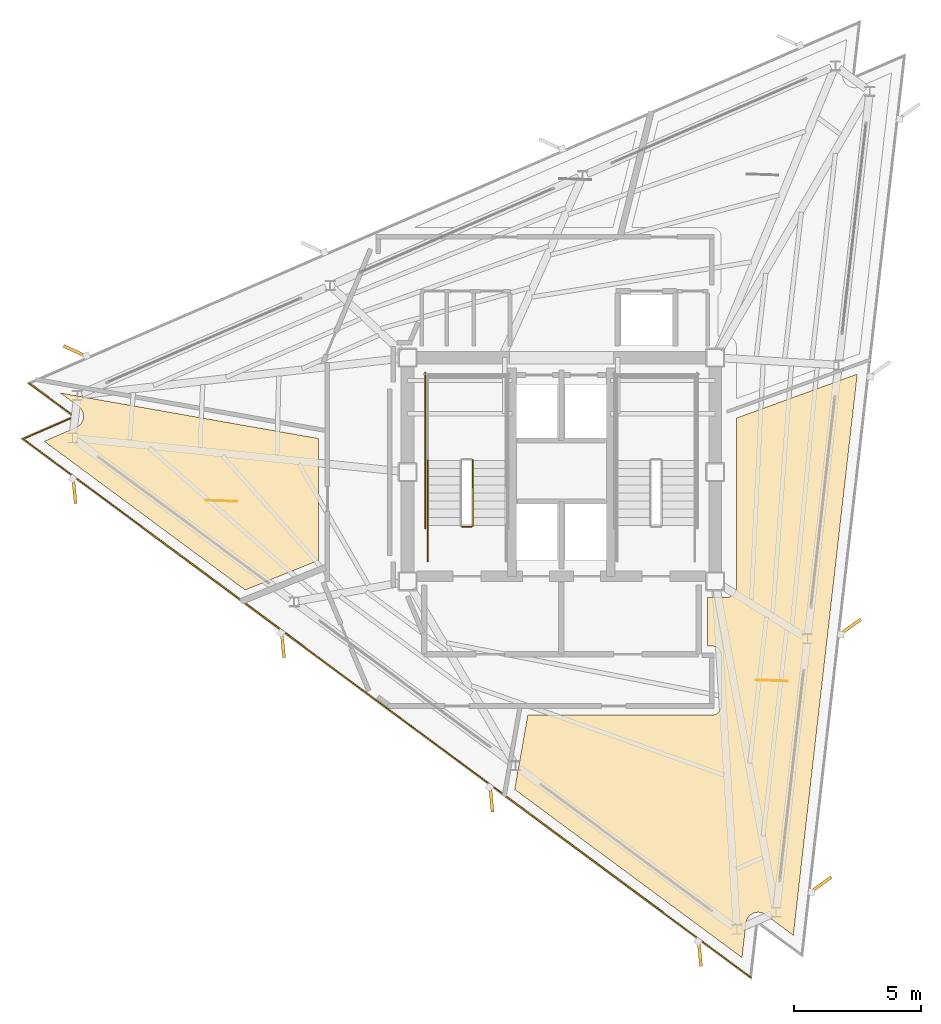
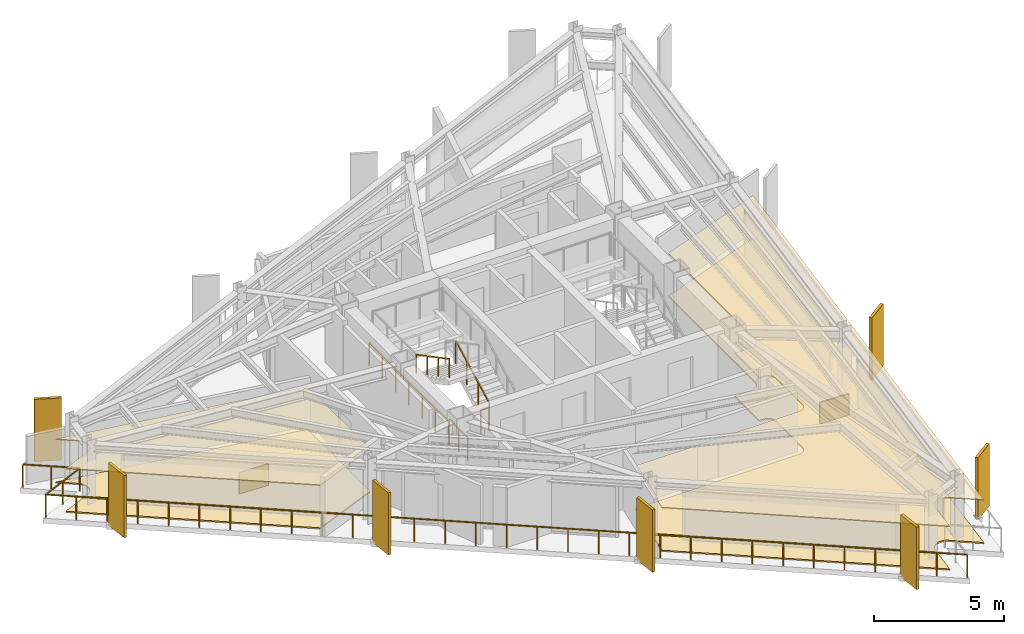
# One storey, part 8 of 10: 7 shading devices, 6 coverings, 6 railings.
"""IFC4 building model written with IfcOpenShell, lengths in metres."""

from ifc_helpers import new_model, si_unit, direction, frame, origin, origin_2d, place, context, subcontext, project, spatial, polyline, rectangle, outline, extrude, material, layer, layer_set, type_object, element, save


model = new_model("IFC4")

# Units and contexts
model_context = context("Model", 3, precision=1e-05, world=origin(), true_north=direction((0.0, 1.0)))
body_context = subcontext(model_context, "Body", "Model", "MODEL_VIEW")
ifc_project = project(units=[si_unit("LENGTHUNIT", "METRE"), si_unit("AREAUNIT", "SQUARE_METRE"), si_unit("VOLUMEUNIT", "CUBIC_METRE"), si_unit("PLANEANGLEUNIT", "RADIAN"), si_unit("MASSUNIT", "GRAM", prefix="KILO")], contexts=[model_context])

# Site, building, storey
site_placement = place(None, origin())
site = spatial("IfcSite", under=ifc_project, at=site_placement, CompositionType="ELEMENT")
building_placement = place(site_placement, origin())
building = spatial("IfcBuilding", under=site, at=building_placement, Name="Rocaltana Carrier Exchange", CompositionType="ELEMENT")
storey_placement = place(building_placement, frame((0.0, 0.0, 217.919921875)))
storey = spatial("IfcBuildingStorey", under=building, at=storey_placement, Name="L69", CompositionType="ELEMENT", Elevation=217.919921875)

# Coverings
ifc_material_1 = material(Name="Calcium Sulphate & Aluminium Pedestal", Category="aluminium")
ifc_layer_1 = layer(ifc_material_1, 0.06005859375)
ifc_layer_set_1 = layer_set([ifc_layer_1], Name="Calcium Sulphate & Aluminium Pedestal")
covering_type_1 = type_object("IfcCoveringType", Name="Anti-Static Raised Exchange Access Floor 60", PredefinedType="FLOORING", material=ifc_layer_set_1)
covering_1_placement = place(storey_placement, origin())
element("IfcCovering", 1, at=covering_1_placement, inside=storey, type_object=covering_type_1, Name="L69 Network Engineering Studio Finish Floor", PredefinedType="FLOORING", context=body_context, shape_type="SweptSolid", body=[
    extrude(outline(polyline([(-19.699951171875, 3.108154296875), (-9.56005859375, 1.320068359375), (-9.56005859375, -3.47412109375), (-12.436767578125, -4.636474609375), (-20.337890625, 1.210205078125), (-19.0830078125, 1.755859375), (-19.0703125, 1.76171875), (-19.052490234375, 1.7705078125), (-19.028076171875, 1.7841796875), (-19.010986328125, 1.794921875), (-18.98828125, 1.810791015625), (-18.972412109375, 1.822998046875), (-18.951416015625, 1.841064453125), (-18.936767578125, 1.85498046875), (-18.91748046875, 1.875), (-18.904541015625, 1.89013671875), (-18.887451171875, 1.912109375), (-18.8759765625, 1.928466796875), (-18.861083984375, 1.9521484375), (-18.851318359375, 1.969482421875), (-18.8388671875, 1.994384765625), (-18.830810546875, 2.0126953125), (-18.82080078125, 2.038818359375), (-18.814697265625, 2.057861328125), (-18.8076171875, 2.084716796875), (-18.80322265625, 2.104248046875), (-18.798828125, 2.1318359375), (-18.79638671875, 2.151611328125), (-18.794677734375, 2.179443359375), (-18.79443359375, 2.199462890625), (-18.79541015625, 2.227294921875), (-18.797119140625, 2.2470703125), (-18.801025390625, 2.27490234375), (-18.8046875, 2.29443359375), (-18.811279296875, 2.321533203125), (-18.81689453125, 2.3408203125), (-18.825927734375, 2.366943359375), (-18.83349609375, 2.385498046875), (-18.84521484375, 2.410888671875), (-18.8544921875, 2.428466796875), (-18.86865234375, 2.452392578125), (-18.879638671875, 2.468994140625), (-18.896240234375, 2.49169921875), (-18.908935546875, 2.507080078125), (-18.927490234375, 2.52783203125), (-18.941650390625, 2.5419921875), (-18.96240234375, 2.560546875), (-18.977783203125, 2.5732421875), (-18.98876953125, 2.581787109375), (-19.699951171875, 3.108154296875)])), origin(), (0.0, 0.0, 1.0), 0.06005859375),
])
covering_2_placement = place(storey_placement, origin())
element("IfcCovering", 2, at=covering_2_placement, inside=storey, type_object=covering_type_1, Name="L69 Peering Conference Room Finish Floor", PredefinedType="FLOORING", context=body_context, shape_type="SweptSolid", body=[
    extrude(outline(polyline([(5.739990234375, -6.840087890625), (5.739990234375, -4.93994140625), (6.449951171875, -4.93994140625), (6.463623046875, -4.939697265625), (6.4794921875, -4.93896484375), (6.5068359375, -4.936279296875), (6.522216796875, -4.933837890625), (6.54931640625, -4.928466796875), (6.564453125, -4.9248046875), (6.5908203125, -4.916748046875), (6.605712890625, -4.91162109375), (6.630859375, -4.90087890625), (6.64501953125, -4.894287109375), (6.66943359375, -4.88134765625), (6.682861328125, -4.873291015625), (6.705810546875, -4.85791015625), (6.71826171875, -4.8486328125), (6.739501953125, -4.8310546875), (6.751220703125, -4.820556640625), (6.7705078125, -4.80126953125), (6.781005859375, -4.78955078125), (6.798583984375, -4.768310546875), (6.807861328125, -4.755615234375), (6.8232421875, -4.73291015625), (6.831298828125, -4.719482421875), (6.84423828125, -4.695068359375), (6.850830078125, -4.680908203125), (6.861572265625, -4.655517578125), (6.86669921875, -4.640869140625), (6.874755859375, -4.614501953125), (6.87841796875, -4.59912109375), (6.8837890625, -4.572265625), (6.88623046875, -4.556884765625), (6.888916015625, -4.529296875), (6.8896484375, -4.513671875), (6.889892578125, -4.5), (6.889892578125, 2.124755859375), (11.635498046875, 3.851806640625), (9.12109375, -18.21826171875), (8.020751953125, -17.404052734375), (8.009521484375, -17.39599609375), (7.992919921875, -17.385009765625), (7.96875, -17.370849609375), (7.951171875, -17.361572265625), (7.92578125, -17.349609375), (7.907470703125, -17.342041015625), (7.881103515625, -17.332763671875), (7.862060546875, -17.3271484375), (7.8349609375, -17.320556640625), (7.815185546875, -17.31689453125), (7.78759765625, -17.31298828125), (7.767822265625, -17.311279296875), (7.739990234375, -17.310302734375), (7.719970703125, -17.310302734375), (7.692138671875, -17.31201171875), (7.67236328125, -17.314208984375), (7.644775390625, -17.31884765625), (7.625244140625, -17.322998046875), (7.59814453125, -17.330078125), (7.579345703125, -17.336181640625), (7.552978515625, -17.34619140625), (7.534912109375, -17.35400390625), (7.509765625, -17.366455078125), (7.492431640625, -17.376220703125), (7.46875, -17.39111328125), (7.452392578125, -17.40234375), (7.430419921875, -17.41943359375), (7.415283203125, -17.4326171875), (7.39501953125, -17.45166015625), (7.381103515625, -17.466064453125), (7.363037109375, -17.4873046875), (7.3505859375, -17.5029296875), (7.334716796875, -17.52587890625), (7.32421875, -17.542724609375), (7.310302734375, -17.56689453125), (7.301513671875, -17.5849609375), (7.290283203125, -17.6103515625), (7.283203125, -17.629150390625), (7.274658203125, -17.655517578125), (7.26953125, -17.6748046875), (7.263671875, -17.7021484375), (7.26025390625, -17.7216796875), (7.25830078125, -17.735595703125), (7.103515625, -19.095458984375), (-1.835205078125, -12.481201171875), (-1.320068359375, -9.56005859375), (5.919921875, -9.56005859375), (5.93359375, -9.559814453125), (5.941650390625, -9.559326171875), (5.968994140625, -9.556640625), (5.976806640625, -9.555419921875), (6.003662109375, -9.550048828125), (6.01123046875, -9.548095703125), (6.03759765625, -9.540283203125), (6.044921875, -9.53759765625), (6.0703125, -9.527099609375), (6.077392578125, -9.523681640625), (6.101806640625, -9.5107421875), (6.1083984375, -9.506591796875), (6.131103515625, -9.491455078125), (6.137451171875, -9.48681640625), (6.15869140625, -9.46923828125), (6.16455078125, -9.464111328125), (6.18408203125, -9.444580078125), (6.189208984375, -9.438720703125), (6.206787109375, -9.41748046875), (6.21142578125, -9.4111328125), (6.226806640625, -9.388427734375), (6.230712890625, -9.381591796875), (6.24365234375, -9.357421875), (6.2470703125, -9.350341796875), (6.257568359375, -9.324951171875), (6.26025390625, -9.317626953125), (6.268310546875, -9.291259765625), (6.27001953125, -9.28369140625), (6.275390625, -9.256591796875), (6.276611328125, -9.248779296875), (6.279296875, -9.2216796875), (6.27978515625, -9.213623046875), (6.280029296875, -9.199951171875), (6.280029296875, -7.199951171875), (6.27978515625, -7.186279296875), (6.279296875, -7.178466796875), (6.276611328125, -7.151123046875), (6.275390625, -7.143310546875), (6.27001953125, -7.116455078125), (6.268310546875, -7.108642578125), (6.26025390625, -7.08251953125), (6.257568359375, -7.0751953125), (6.2470703125, -7.0498046875), (6.24365234375, -7.04248046875), (6.230712890625, -7.018310546875), (6.226806640625, -7.01171875), (6.21142578125, -6.98876953125), (6.206787109375, -6.982421875), (6.189208984375, -6.961181640625), (6.18408203125, -6.955322265625), (6.16455078125, -6.93603515625), (6.15869140625, -6.9306640625), (6.137451171875, -6.913330078125), (6.131103515625, -6.90869140625), (6.1083984375, -6.893310546875), (6.101806640625, -6.889404296875), (6.077392578125, -6.876220703125), (6.0703125, -6.873046875), (6.044921875, -6.862548828125), (6.03759765625, -6.85986328125), (6.01123046875, -6.851806640625), (6.003662109375, -6.849853515625), (5.976806640625, -6.844482421875), (5.968994140625, -6.843505859375), (5.941650390625, -6.8408203125), (5.93359375, -6.84033203125), (5.919921875, -6.840087890625), (5.739990234375, -6.840087890625)])), origin(), (0.0, 0.0, 1.0), 0.06005859375),
])
ifc_material_2 = material(Name="Mineral Fibre & Powder-Coated Aluminium", Category="aluminium")
ifc_layer_2 = layer(ifc_material_2, 0.044921875)
ifc_layer_set_2 = layer_set([ifc_layer_2], Name="Mineral Fibre & Powder-Coated Aluminium")
covering_type_2 = type_object("IfcCoveringType", Name="Micro-Perforated Acoustic Ceiling 45", PredefinedType="CEILING", material=ifc_layer_set_2)
covering_3_placement = place(storey_placement, frame((0.0, 0.0, 2.023193359375)))
element("IfcCovering", 3, at=covering_3_placement, inside=storey, type_object=covering_type_2, Name="L69 Network Engineering Studio Acoustic Ceiling", PredefinedType="CEILING", context=body_context, shape_type="SweptSolid", body=[
    extrude(outline(polyline([(-19.699951171875, 3.108154296875), (-9.56005859375, 1.320068359375), (-9.56005859375, -3.47412109375), (-12.436767578125, -4.636474609375), (-20.337890625, 1.210205078125), (-19.0830078125, 1.755859375), (-19.0703125, 1.76171875), (-19.052490234375, 1.7705078125), (-19.028076171875, 1.7841796875), (-19.010986328125, 1.794921875), (-18.98828125, 1.810791015625), (-18.972412109375, 1.822998046875), (-18.951416015625, 1.841064453125), (-18.936767578125, 1.85498046875), (-18.91748046875, 1.875), (-18.904541015625, 1.89013671875), (-18.887451171875, 1.912109375), (-18.8759765625, 1.928466796875), (-18.861083984375, 1.9521484375), (-18.851318359375, 1.969482421875), (-18.8388671875, 1.994384765625), (-18.830810546875, 2.0126953125), (-18.82080078125, 2.038818359375), (-18.814697265625, 2.057861328125), (-18.8076171875, 2.084716796875), (-18.80322265625, 2.104248046875), (-18.798828125, 2.1318359375), (-18.79638671875, 2.151611328125), (-18.794677734375, 2.179443359375), (-18.79443359375, 2.199462890625), (-18.79541015625, 2.227294921875), (-18.797119140625, 2.2470703125), (-18.801025390625, 2.27490234375), (-18.8046875, 2.29443359375), (-18.811279296875, 2.321533203125), (-18.81689453125, 2.3408203125), (-18.825927734375, 2.366943359375), (-18.83349609375, 2.385498046875), (-18.84521484375, 2.410888671875), (-18.8544921875, 2.428466796875), (-18.86865234375, 2.452392578125), (-18.879638671875, 2.468994140625), (-18.896240234375, 2.49169921875), (-18.908935546875, 2.507080078125), (-18.927490234375, 2.52783203125), (-18.941650390625, 2.5419921875), (-18.96240234375, 2.560546875), (-18.977783203125, 2.5732421875), (-18.98876953125, 2.581787109375), (-19.699951171875, 3.108154296875)])), origin(), (0.0, 0.0, 1.0), 0.044921875),
])
covering_4_placement = place(storey_placement, frame((0.0, 0.0, 2.023193359375)))
element("IfcCovering", 4, at=covering_4_placement, inside=storey, type_object=covering_type_2, Name="L69 Peering Conference Room Acoustic Ceiling", PredefinedType="CEILING", context=body_context, shape_type="SweptSolid", body=[
    extrude(outline(polyline([(5.739990234375, -6.840087890625), (5.739990234375, -4.93994140625), (6.449951171875, -4.93994140625), (6.463623046875, -4.939697265625), (6.4794921875, -4.93896484375), (6.5068359375, -4.936279296875), (6.522216796875, -4.933837890625), (6.54931640625, -4.928466796875), (6.564453125, -4.9248046875), (6.5908203125, -4.916748046875), (6.605712890625, -4.91162109375), (6.630859375, -4.90087890625), (6.64501953125, -4.894287109375), (6.66943359375, -4.88134765625), (6.682861328125, -4.873291015625), (6.705810546875, -4.85791015625), (6.71826171875, -4.8486328125), (6.739501953125, -4.8310546875), (6.751220703125, -4.820556640625), (6.7705078125, -4.80126953125), (6.781005859375, -4.78955078125), (6.798583984375, -4.768310546875), (6.807861328125, -4.755615234375), (6.8232421875, -4.73291015625), (6.831298828125, -4.719482421875), (6.84423828125, -4.695068359375), (6.850830078125, -4.680908203125), (6.861572265625, -4.655517578125), (6.86669921875, -4.640869140625), (6.874755859375, -4.614501953125), (6.87841796875, -4.59912109375), (6.8837890625, -4.572265625), (6.88623046875, -4.556884765625), (6.888916015625, -4.529296875), (6.8896484375, -4.513671875), (6.889892578125, -4.5), (6.889892578125, 2.124755859375), (11.635498046875, 3.851806640625), (9.12109375, -18.21826171875), (8.020751953125, -17.404052734375), (8.009521484375, -17.39599609375), (7.992919921875, -17.385009765625), (7.96875, -17.370849609375), (7.951171875, -17.361572265625), (7.92578125, -17.349609375), (7.907470703125, -17.342041015625), (7.881103515625, -17.332763671875), (7.862060546875, -17.3271484375), (7.8349609375, -17.320556640625), (7.815185546875, -17.31689453125), (7.78759765625, -17.31298828125), (7.767822265625, -17.311279296875), (7.739990234375, -17.310302734375), (7.719970703125, -17.310302734375), (7.692138671875, -17.31201171875), (7.67236328125, -17.314208984375), (7.644775390625, -17.31884765625), (7.625244140625, -17.322998046875), (7.59814453125, -17.330078125), (7.579345703125, -17.336181640625), (7.552978515625, -17.34619140625), (7.534912109375, -17.35400390625), (7.509765625, -17.366455078125), (7.492431640625, -17.376220703125), (7.46875, -17.39111328125), (7.452392578125, -17.40234375), (7.430419921875, -17.41943359375), (7.415283203125, -17.4326171875), (7.39501953125, -17.45166015625), (7.381103515625, -17.466064453125), (7.363037109375, -17.4873046875), (7.3505859375, -17.5029296875), (7.334716796875, -17.52587890625), (7.32421875, -17.542724609375), (7.310302734375, -17.56689453125), (7.301513671875, -17.5849609375), (7.290283203125, -17.6103515625), (7.283203125, -17.629150390625), (7.274658203125, -17.655517578125), (7.26953125, -17.6748046875), (7.263671875, -17.7021484375), (7.26025390625, -17.7216796875), (7.25830078125, -17.735595703125), (7.103515625, -19.095458984375), (-1.835205078125, -12.481201171875), (-1.320068359375, -9.56005859375), (5.919921875, -9.56005859375), (5.93359375, -9.559814453125), (5.941650390625, -9.559326171875), (5.968994140625, -9.556640625), (5.976806640625, -9.555419921875), (6.003662109375, -9.550048828125), (6.01123046875, -9.548095703125), (6.03759765625, -9.540283203125), (6.044921875, -9.53759765625), (6.0703125, -9.527099609375), (6.077392578125, -9.523681640625), (6.101806640625, -9.5107421875), (6.1083984375, -9.506591796875), (6.131103515625, -9.491455078125), (6.137451171875, -9.48681640625), (6.15869140625, -9.46923828125), (6.16455078125, -9.464111328125), (6.18408203125, -9.444580078125), (6.189208984375, -9.438720703125), (6.206787109375, -9.41748046875), (6.21142578125, -9.4111328125), (6.226806640625, -9.388427734375), (6.230712890625, -9.381591796875), (6.24365234375, -9.357421875), (6.2470703125, -9.350341796875), (6.257568359375, -9.324951171875), (6.26025390625, -9.317626953125), (6.268310546875, -9.291259765625), (6.27001953125, -9.28369140625), (6.275390625, -9.256591796875), (6.276611328125, -9.248779296875), (6.279296875, -9.2216796875), (6.27978515625, -9.213623046875), (6.280029296875, -9.199951171875), (6.280029296875, -7.199951171875), (6.27978515625, -7.186279296875), (6.279296875, -7.178466796875), (6.276611328125, -7.151123046875), (6.275390625, -7.143310546875), (6.27001953125, -7.116455078125), (6.268310546875, -7.108642578125), (6.26025390625, -7.08251953125), (6.257568359375, -7.0751953125), (6.2470703125, -7.0498046875), (6.24365234375, -7.04248046875), (6.230712890625, -7.018310546875), (6.226806640625, -7.01171875), (6.21142578125, -6.98876953125), (6.206787109375, -6.982421875), (6.189208984375, -6.961181640625), (6.18408203125, -6.955322265625), (6.16455078125, -6.93603515625), (6.15869140625, -6.9306640625), (6.137451171875, -6.913330078125), (6.131103515625, -6.90869140625), (6.1083984375, -6.893310546875), (6.101806640625, -6.889404296875), (6.077392578125, -6.876220703125), (6.0703125, -6.873046875), (6.044921875, -6.862548828125), (6.03759765625, -6.85986328125), (6.01123046875, -6.851806640625), (6.003662109375, -6.849853515625), (5.976806640625, -6.844482421875), (5.968994140625, -6.843505859375), (5.941650390625, -6.8408203125), (5.93359375, -6.84033203125), (5.919921875, -6.840087890625), (5.739990234375, -6.840087890625)])), origin(), (0.0, 0.0, 1.0), 0.044921875),
])

# Railings
ifc_material_3 = material(Name="Brushed Architectural Stainless Tube", Category="steel")
ifc_layer_3 = layer(ifc_material_3, 0.048095703125)
ifc_layer_set_3 = layer_set([ifc_layer_3], Name="Brushed Architectural Stainless Tube")
railing_type_1 = type_object("IfcRailingType", Name="Stair Wall Handrail 920", PredefinedType="HANDRAIL", material=ifc_layer_set_3)
railing_1_placement = place(storey_placement, frame((-5.25, 0.4599609375, 1.68896484375)))
element("IfcRailing", 5, at=railing_1_placement, inside=storey, type_object=railing_type_1, Name="L69 ST-1 stair handrail 2", PredefinedType="HANDRAIL", context=body_context, shape_type="SweptSolid", body=[
    extrude(rectangle(XDim=0.048095703125, YDim=0.048095703125, at=origin_2d()), frame((0.0, 0.0, 0.8759765625), z_axis=(0.0, -0.884394423565, 0.466740295633), x_axis=(1.0, 0.0, 0.0)), (0.0, 0.0, 1.0), 2.894775390625),
    extrude(rectangle(XDim=0.0419921875, YDim=0.0419921875, at=origin_2d()), origin(), (0.0, 0.0, 1.0), 0.851806640625),
    extrude(rectangle(XDim=0.0419921875, YDim=0.0419921875, at=origin_2d()), frame((0.0, -0.853271484375, 0.450439453125)), (0.0, 0.0, 1.0), 0.851806640625),
    extrude(rectangle(XDim=0.0419921875, YDim=0.0419921875, at=origin_2d()), frame((0.0, -1.706787109375, 0.900634765625)), (0.0, 0.0, 1.0), 0.851806640625),
    extrude(rectangle(XDim=0.0419921875, YDim=0.0419921875, at=origin_2d()), frame((0.0, -2.56005859375, 1.35107421875)), (0.0, 0.0, 1.0), 0.851806640625),
])
ifc_material_4 = material(Name="Powder-Coated Aluminium 6063-T6", Category="aluminium")
ifc_layer_4 = layer(ifc_material_4, 0.048095703125)
ifc_layer_set_4 = layer_set([ifc_layer_4], Name="Powder-Coated Aluminium 6063-T6")
railing_type_2 = type_object("IfcRailingType", Name="Stair Well Guardrail 1100", PredefinedType="GUARDRAIL", material=ifc_layer_set_4)
railing_2_placement = place(storey_placement, frame((-3.489990234375, -2.10009765625, 0.1689453125)))
element("IfcRailing", 6, at=railing_2_placement, inside=storey, type_object=railing_type_2, Name="L69 ST-1 stair guard 1", PredefinedType="GUARDRAIL", context=body_context, shape_type="SweptSolid", body=[
    extrude(rectangle(XDim=0.048095703125, YDim=0.048095703125, at=origin_2d()), frame((0.0, 0.0, 1.076171875), z_axis=(0.0, 0.884394423565, 0.466740295633), x_axis=(-1.0, 0.0, 0.0)), (0.0, 0.0, 1.0), 2.894775390625),
    extrude(rectangle(XDim=0.0419921875, YDim=0.0419921875, at=origin_2d()), origin(), (0.0, 0.0, 1.0), 1.052001953125),
    extrude(rectangle(XDim=0.0419921875, YDim=0.0419921875, at=origin_2d()), frame((0.0, 0.853271484375, 0.450439453125)), (0.0, 0.0, 1.0), 1.052001953125),
    extrude(rectangle(XDim=0.0419921875, YDim=0.0419921875, at=origin_2d()), frame((0.0, 1.706787109375, 0.900634765625)), (0.0, 0.0, 1.0), 1.052001953125),
    extrude(rectangle(XDim=0.0419921875, YDim=0.0419921875, at=origin_2d()), frame((0.0, 2.56005859375, 1.35107421875)), (0.0, 0.0, 1.0), 1.052001953125),
])
railing_3_placement = place(storey_placement, frame((-3.5400390625, -2.14990234375, 0.0)))
element("IfcRailing", 7, at=railing_3_placement, inside=storey, type_object=railing_type_2, Name="L69 ST-1 stair guard 7", PredefinedType="GUARDRAIL", context=body_context, shape_type="SweptSolid", body=[
    extrude(rectangle(XDim=0.048095703125, YDim=0.048095703125, at=origin_2d()), frame((0.0, 0.0, 1.076171875), z_axis=(-1.0, 0.0, 0.0), x_axis=(0.0, -1.0, 0.0)), (0.0, 0.0, 1.0), 0.35986328125),
    extrude(rectangle(XDim=0.0419921875, YDim=0.0419921875, at=origin_2d()), origin(), (0.0, 0.0, 1.0), 1.052001953125),
    extrude(rectangle(XDim=0.0419921875, YDim=0.0419921875, at=origin_2d()), frame((-0.35986328125, 0.0, 0.0)), (0.0, 0.0, 1.0), 1.052001953125),
])
railing_4_placement = place(storey_placement, frame((-5.25, -3.5, 0.0)))
element("IfcRailing", 8, at=railing_4_placement, inside=storey, type_object=railing_type_2, Name="L69 ST-1 stair guard 9", PredefinedType="GUARDRAIL", context=body_context, shape_type="SweptSolid", body=[
    extrude(rectangle(XDim=0.048095703125, YDim=0.048095703125, at=origin_2d()), frame((0.0, 0.0, 1.076171875), z_axis=(0.0, 1.0, 0.0), x_axis=(-1.0, 0.0, 0.0)), (0.0, 0.0, 1.0), 1.39990234375),
    extrude(rectangle(XDim=0.0419921875, YDim=0.0419921875, at=origin_2d()), origin(), (0.0, 0.0, 1.0), 1.052001953125),
    extrude(rectangle(XDim=0.0419921875, YDim=0.0419921875, at=origin_2d()), frame((0.0, 0.699951171875, 0.0)), (0.0, 0.0, 1.0), 1.052001953125),
    extrude(rectangle(XDim=0.0419921875, YDim=0.0419921875, at=origin_2d()), frame((0.0, 1.39990234375, 0.0)), (0.0, 0.0, 1.0), 1.052001953125),
])
railing_5_placement = place(storey_placement, frame((-5.35009765625, -2.199951171875, 0.0)))
element("IfcRailing", 9, at=railing_5_placement, inside=storey, type_object=railing_type_2, Name="L69 ST-1 stair guard 11", PredefinedType="GUARDRAIL", context=body_context, shape_type="SweptSolid", body=[
    extrude(rectangle(XDim=0.048095703125, YDim=0.048095703125, at=origin_2d()), frame((0.0, 0.0, 1.076171875), z_axis=(0.0, 1.0, 0.0), x_axis=(-1.0, 0.0, 0.0)), (0.0, 0.0, 1.0), 6.099853515625),
    extrude(rectangle(XDim=0.0419921875, YDim=0.0419921875, at=origin_2d()), origin(), (0.0, 0.0, 1.0), 1.052001953125),
    extrude(rectangle(XDim=0.0419921875, YDim=0.0419921875, at=origin_2d()), frame((0.0, 1.0166015625, 0.0)), (0.0, 0.0, 1.0), 1.052001953125),
    extrude(rectangle(XDim=0.0419921875, YDim=0.0419921875, at=origin_2d()), frame((0.0, 2.033203125, 0.0)), (0.0, 0.0, 1.0), 1.052001953125),
    extrude(rectangle(XDim=0.0419921875, YDim=0.0419921875, at=origin_2d()), frame((0.0, 3.0498046875, 0.0)), (0.0, 0.0, 1.0), 1.052001953125),
    extrude(rectangle(XDim=0.0419921875, YDim=0.0419921875, at=origin_2d()), frame((0.0, 4.066650390625, 0.0)), (0.0, 0.0, 1.0), 1.052001953125),
    extrude(rectangle(XDim=0.0419921875, YDim=0.0419921875, at=origin_2d()), frame((0.0, 5.083251953125, 0.0)), (0.0, 0.0, 1.0), 1.052001953125),
    extrude(rectangle(XDim=0.0419921875, YDim=0.0419921875, at=origin_2d()), frame((0.0, 6.099853515625, 0.0)), (0.0, 0.0, 1.0), 1.052001953125),
])

# Coverings
ifc_material_5 = material(Name="Honed Piedra Muneca Sandstone", Category="masonry")
ifc_layer_5 = layer(ifc_material_5, 0.034912109375)
ifc_layer_set_5 = layer_set([ifc_layer_5], Name="Honed Piedra Muneca Sandstone")
covering_type_3 = type_object("IfcCoveringType", Name="Stone Facade Cladding 35", PredefinedType="CLADDING", material=ifc_layer_set_5)
for number, where, z_axis, x_axis, name in (
    (10, (-13.366455078125, -1.132080078125, 0.0), (0.0, 0.0, 1.0), (-0.999390827019, 0.034899496703, 0.0), "L69 Stone Facade Cladding Panel 1"),
    (11, (8.271240234375, -8.199951171875, 0.0), (0.0, 0.0, 1.0), (-0.999390827019, 0.034899496703, 0.0), "L69 Stone Facade Cladding Panel 4"),
):
    element("IfcCovering", number, at=place(storey_placement, frame(where, z_axis=z_axis, x_axis=x_axis)), inside=storey, type_object=covering_type_3, Name=name, PredefinedType="CLADDING", context=body_context, shape_type="SweptSolid", body=[
        extrude(rectangle(XDim=1.25, YDim=0.034912109375, at=origin_2d()), origin(), (0.0, 0.0, 1.0), 1.050048828125),
    ])

# Shading devices
ifc_material_6 = material(Name="Honed Bogota Sandstone & Concrete C45/55", Category="masonry")
ifc_layer_6 = layer(ifc_material_6, 0.1201171875)
ifc_layer_set_6 = layer_set([ifc_layer_6], Name="Honed Bogota Sandstone & Concrete C45/55")
shading_device_type = type_object("IfcShadingDeviceType", Name="Upper Sandstone Shading Fin 1050x120", PredefinedType="USERDEFINED", material=ifc_layer_set_6)
for number, where, z_axis, x_axis, name in (
    (12, (10.193115234375, -16.233642578125, -0.119873046875), (0.0, 0.0, 1.0), (0.814115518356, 0.580702955711, 0.0), "L69 Sandstone Vertical Fin F1-01"),
    (13, (11.34765625, -6.099365234375, -0.119873046875), (0.0, 0.0, 1.0), (0.814115518356, 0.580702955711, 0.0), "L69 Sandstone Vertical Fin F1-02"),
    (14, (-19.099609375, 4.742431640625, -0.119873046875), (0.0, 0.0, 1.0), (-0.909961270877, 0.414693242656, 0.0), "L69 Sandstone Vertical Fin F2-04"),
    (15, (-19.1552734375, -0.71044921875, -0.119873046875), (0.0, 0.0, 1.0), (0.09584575252, -0.995396198367, 0.0), "L69 Sandstone Vertical Fin F3-01"),
    (16, (-10.955810546875, -6.777587890625, -0.119873046875), (0.0, 0.0, 1.0), (0.09584575252, -0.995396198367, 0.0), "L69 Sandstone Vertical Fin F3-02"),
    (17, (-2.756591796875, -12.844970703125, -0.119873046875), (0.0, 0.0, 1.0), (0.09584575252, -0.995396198367, 0.0), "L69 Sandstone Vertical Fin F3-03"),
    (18, (5.442626953125, -18.912109375, -0.119873046875), (0.0, 0.0, 1.0), (0.09584575252, -0.995396198367, 0.0), "L69 Sandstone Vertical Fin F3-04"),
):
    element("IfcShadingDevice", number, at=place(storey_placement, frame(where, z_axis=z_axis, x_axis=x_axis)), inside=storey, type_object=shading_device_type, Name=name, ObjectType="FIN", PredefinedType="USERDEFINED", context=body_context, shape_type="SweptSolid", body=[
        extrude(rectangle(XDim=1.050048828125, YDim=0.1201171875, at=origin_2d()), origin(), (0.0, 0.0, 1.0), 2.91796875),
    ])

# Railing
ifc_material_7 = material(Name="Powder-Coated Aluminium 6063-T6", Category="aluminium")
ifc_layer_7 = layer(ifc_material_7, 0.06005859375)
ifc_layer_set_7 = layer_set([ifc_layer_7], Name="Powder-Coated Aluminium 6063-T6")
railing_type_3 = type_object("IfcRailingType", Name="Wind-Floor & Terrace Perimeter Guardrail 1100", PredefinedType="GUARDRAIL", material=ifc_layer_set_7)
railing_6_placement = place(storey_placement, frame((7.4384765625, -19.865966796875, 0.0)))
element("IfcRailing", 19, at=railing_6_placement, inside=storey, type_object=railing_type_3, Name="L69 Perimeter Balcony Guardrail 1", PredefinedType="GUARDRAIL", context=body_context, shape_type="SweptSolid", body=[
    extrude(rectangle(XDim=0.048095703125, YDim=0.048095703125, at=origin_2d()), frame((0.0, 0.0, 1.076171875), z_axis=(-0.803856133623, 0.594823769226, 0.0), x_axis=(-0.594823769226, -0.803856133623, 0.0)), (0.0, 0.0, 1.0), 35.59228515625),
    extrude(rectangle(XDim=0.048095703125, YDim=0.048095703125, at=origin_2d()), frame((-28.611083984375, 21.171142578125, 1.076171875), z_axis=(0.917071820503, 0.398722053614, 0.0), x_axis=(-0.398722053614, 0.917071820503, 0.0)), (0.0, 0.0, 1.0), 2.199951171875),
    extrude(rectangle(XDim=0.048095703125, YDim=0.048095703125, at=origin_2d()), frame((-26.593505859375, 22.04833984375, 1.076171875), z_axis=(-0.803871612758, 0.59480284986, 0.0), x_axis=(-0.59480284986, -0.803871612758, 0.0)), (0.0, 0.0, 1.0), 2.199951171875),
    extrude(rectangle(XDim=0.0419921875, YDim=0.0419921875, at=origin_2d()), origin(), (0.0, 0.0, 1.0), 1.052001953125),
    extrude(rectangle(XDim=0.0419921875, YDim=0.0419921875, at=origin_2d()), frame((-0.95361328125, 0.705810546875, 0.0)), (0.0, 0.0, 1.0), 1.052001953125),
    extrude(rectangle(XDim=0.0419921875, YDim=0.0419921875, at=origin_2d()), frame((-1.907470703125, 1.411376953125, 0.0)), (0.0, 0.0, 1.0), 1.052001953125),
    extrude(rectangle(XDim=0.0419921875, YDim=0.0419921875, at=origin_2d()), frame((-2.861083984375, 2.1171875, 0.0)), (0.0, 0.0, 1.0), 1.052001953125),
    extrude(rectangle(XDim=0.0419921875, YDim=0.0419921875, at=origin_2d()), frame((-3.814697265625, 2.82275390625, 0.0)), (0.0, 0.0, 1.0), 1.052001953125),
    extrude(rectangle(XDim=0.0419921875, YDim=0.0419921875, at=origin_2d()), frame((-4.7685546875, 3.528564453125, 0.0)), (0.0, 0.0, 1.0), 1.052001953125),
    extrude(rectangle(XDim=0.0419921875, YDim=0.0419921875, at=origin_2d()), frame((-5.72216796875, 4.234130859375, 0.0)), (0.0, 0.0, 1.0), 1.052001953125),
    extrude(rectangle(XDim=0.0419921875, YDim=0.0419921875, at=origin_2d()), frame((-6.676025390625, 4.93994140625, 0.0)), (0.0, 0.0, 1.0), 1.052001953125),
    extrude(rectangle(XDim=0.0419921875, YDim=0.0419921875, at=origin_2d()), frame((-7.629638671875, 5.645751953125, 0.0)), (0.0, 0.0, 1.0), 1.052001953125),
    extrude(rectangle(XDim=0.0419921875, YDim=0.0419921875, at=origin_2d()), frame((-8.583251953125, 6.351318359375, 0.0)), (0.0, 0.0, 1.0), 1.052001953125),
    extrude(rectangle(XDim=0.0419921875, YDim=0.0419921875, at=origin_2d()), frame((-9.537109375, 7.05712890625, 0.0)), (0.0, 0.0, 1.0), 1.052001953125),
    extrude(rectangle(XDim=0.0419921875, YDim=0.0419921875, at=origin_2d()), frame((-10.49072265625, 7.7626953125, 0.0)), (0.0, 0.0, 1.0), 1.052001953125),
    extrude(rectangle(XDim=0.0419921875, YDim=0.0419921875, at=origin_2d()), frame((-11.4443359375, 8.468505859375, 0.0)), (0.0, 0.0, 1.0), 1.052001953125),
    extrude(rectangle(XDim=0.0419921875, YDim=0.0419921875, at=origin_2d()), frame((-12.398193359375, 9.174072265625, 0.0)), (0.0, 0.0, 1.0), 1.052001953125),
    extrude(rectangle(XDim=0.0419921875, YDim=0.0419921875, at=origin_2d()), frame((-13.351806640625, 9.8798828125, 0.0)), (0.0, 0.0, 1.0), 1.052001953125),
    extrude(rectangle(XDim=0.0419921875, YDim=0.0419921875, at=origin_2d()), frame((-14.3056640625, 10.58544921875, 0.0)), (0.0, 0.0, 1.0), 1.052001953125),
    extrude(rectangle(XDim=0.0419921875, YDim=0.0419921875, at=origin_2d()), frame((-15.25927734375, 11.291259765625, 0.0)), (0.0, 0.0, 1.0), 1.052001953125),
    extrude(rectangle(XDim=0.0419921875, YDim=0.0419921875, at=origin_2d()), frame((-16.212890625, 11.9970703125, 0.0)), (0.0, 0.0, 1.0), 1.052001953125),
    extrude(rectangle(XDim=0.0419921875, YDim=0.0419921875, at=origin_2d()), frame((-17.166748046875, 12.70263671875, 0.0)), (0.0, 0.0, 1.0), 1.052001953125),
    extrude(rectangle(XDim=0.0419921875, YDim=0.0419921875, at=origin_2d()), frame((-18.120361328125, 13.408447265625, 0.0)), (0.0, 0.0, 1.0), 1.052001953125),
    extrude(rectangle(XDim=0.0419921875, YDim=0.0419921875, at=origin_2d()), frame((-19.073974609375, 14.114013671875, 0.0)), (0.0, 0.0, 1.0), 1.052001953125),
    extrude(rectangle(XDim=0.0419921875, YDim=0.0419921875, at=origin_2d()), frame((-20.02783203125, 14.81982421875, 0.0)), (0.0, 0.0, 1.0), 1.052001953125),
    extrude(rectangle(XDim=0.0419921875, YDim=0.0419921875, at=origin_2d()), frame((-20.9814453125, 15.525390625, 0.0)), (0.0, 0.0, 1.0), 1.052001953125),
    extrude(rectangle(XDim=0.0419921875, YDim=0.0419921875, at=origin_2d()), frame((-21.93505859375, 16.231201171875, 0.0)), (0.0, 0.0, 1.0), 1.052001953125),
    extrude(rectangle(XDim=0.0419921875, YDim=0.0419921875, at=origin_2d()), frame((-22.888916015625, 16.93701171875, 0.0)), (0.0, 0.0, 1.0), 1.052001953125),
    extrude(rectangle(XDim=0.0419921875, YDim=0.0419921875, at=origin_2d()), frame((-23.842529296875, 17.642578125, 0.0)), (0.0, 0.0, 1.0), 1.052001953125),
    extrude(rectangle(XDim=0.0419921875, YDim=0.0419921875, at=origin_2d()), frame((-24.79638671875, 18.348388671875, 0.0)), (0.0, 0.0, 1.0), 1.052001953125),
    extrude(rectangle(XDim=0.0419921875, YDim=0.0419921875, at=origin_2d()), frame((-25.75, 19.053955078125, 0.0)), (0.0, 0.0, 1.0), 1.052001953125),
    extrude(rectangle(XDim=0.0419921875, YDim=0.0419921875, at=origin_2d()), frame((-26.70361328125, 19.759765625, 0.0)), (0.0, 0.0, 1.0), 1.052001953125),
    extrude(rectangle(XDim=0.0419921875, YDim=0.0419921875, at=origin_2d()), frame((-27.657470703125, 20.46533203125, 0.0)), (0.0, 0.0, 1.0), 1.052001953125),
    extrude(rectangle(XDim=0.0419921875, YDim=0.0419921875, at=origin_2d()), frame((-28.611083984375, 21.171142578125, 0.0)), (0.0, 0.0, 1.0), 1.052001953125),
    extrude(rectangle(XDim=0.0419921875, YDim=0.0419921875, at=origin_2d()), frame((-27.602294921875, 21.60986328125, 0.0)), (0.0, 0.0, 1.0), 1.052001953125),
    extrude(rectangle(XDim=0.0419921875, YDim=0.0419921875, at=origin_2d()), frame((-26.593505859375, 22.04833984375, 0.0)), (0.0, 0.0, 1.0), 1.052001953125),
    extrude(rectangle(XDim=0.0419921875, YDim=0.0419921875, at=origin_2d()), frame((-27.477783203125, 22.70263671875, 0.0)), (0.0, 0.0, 1.0), 1.052001953125),
    extrude(rectangle(XDim=0.0419921875, YDim=0.0419921875, at=origin_2d()), frame((-28.362060546875, 23.35693359375, 0.0)), (0.0, 0.0, 1.0), 1.052001953125),
])

save(model, "model.ifc")
